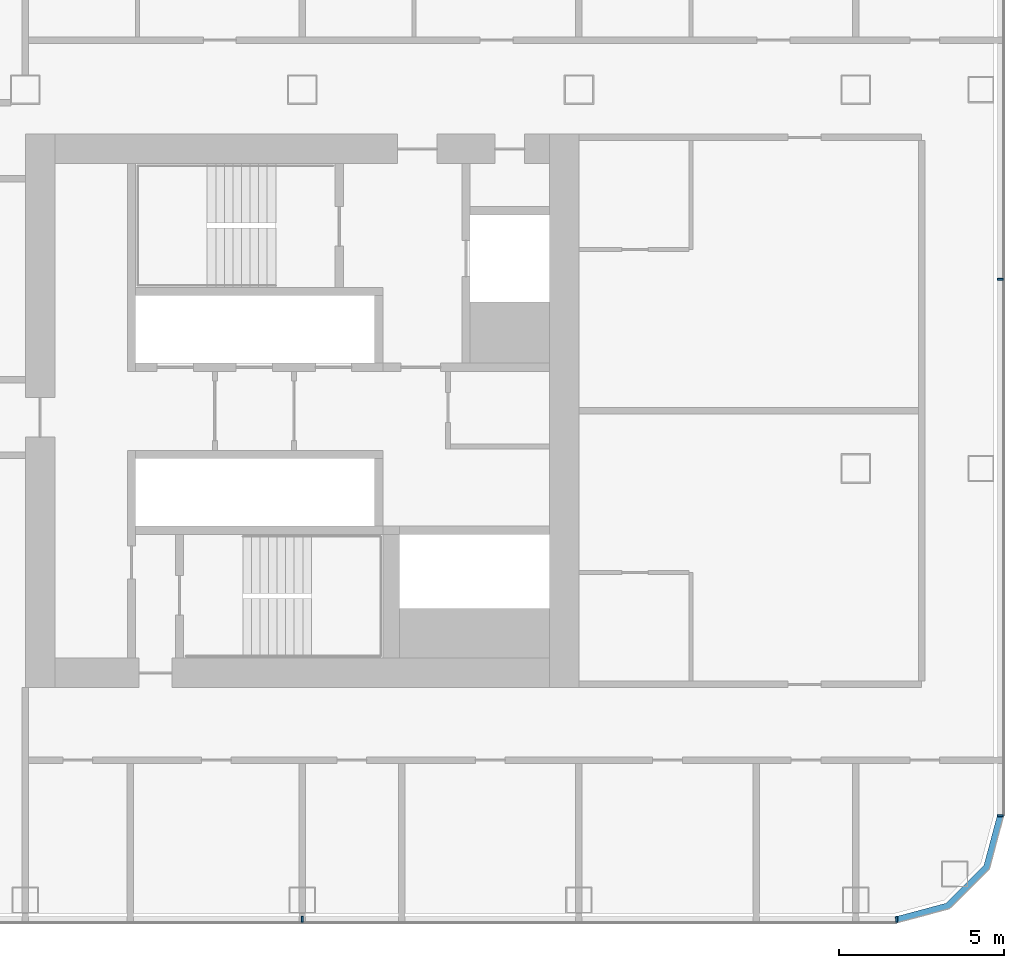
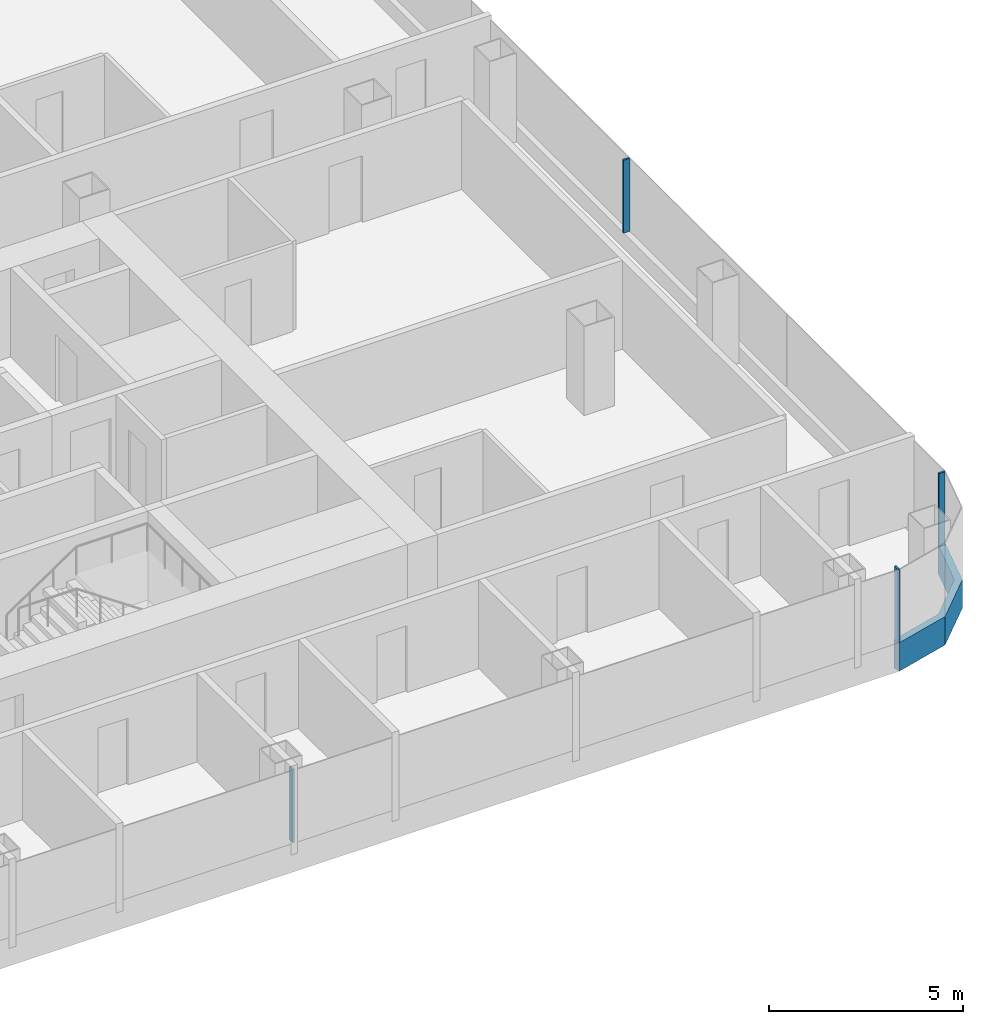
# One storey, part 11 of 29: 5 members, 3 elements without a shape of their own.
"""IFC4 building model written with IfcOpenShell, lengths in metres."""

from ifc_helpers import new_model, si_unit, direction, frame, origin, origin_2d, place, context, subcontext, project, spatial, polyline, rectangle, outline, extrude, material, layer, layer_set, material_profile, profile_set, type_object, element, aggregate, save


model = new_model("IFC4")

# Units and contexts
model_context = context("Model", 3, precision=1e-05, world=origin(), true_north=direction((0.0, 1.0)))
body_context = subcontext(model_context, "Body", "Model", "MODEL_VIEW")
ifc_project = project(units=[si_unit("LENGTHUNIT", "METRE"), si_unit("AREAUNIT", "SQUARE_METRE"), si_unit("VOLUMEUNIT", "CUBIC_METRE"), si_unit("PLANEANGLEUNIT", "RADIAN"), si_unit("MASSUNIT", "GRAM", prefix="KILO")], contexts=[model_context])

# Site, building, storey
site_placement = place(None, origin())
site = spatial("IfcSite", under=ifc_project, at=site_placement, CompositionType="ELEMENT")
building_placement = place(site_placement, origin())
building = spatial("IfcBuilding", under=site, at=building_placement, Name="Hakoniwa Tower and Hamabe Station Hall", CompositionType="ELEMENT")
storey_placement = place(building_placement, frame((0.0, 0.0, 75.39990234375)))
storey = spatial("IfcBuildingStorey", under=building, at=storey_placement, Name="L20", CompositionType="ELEMENT", Elevation=75.39990234375)

# Curtain wall, member
ifc_material_1 = material(Name="Dark low-e laminated glass", Category="glass")
ifc_layer = layer(ifc_material_1, 0.199951171875)
ifc_layer_set = layer_set([ifc_layer], Name="CW-1 UNITISED GUEST")
curtain_wall_type = type_object("IfcCurtainWallType", Name="CW-1 UNITISED GUEST", PredefinedType="NOTDEFINED", material=ifc_layer_set)
curtain_wall_1_placement = place(storey_placement, origin())
curtain_wall_1 = element("IfcCurtainWall", 1, at=curtain_wall_1_placement, inside=storey, type_object=curtain_wall_type, Name="CW-1 curtain wall", PredefinedType="NOTDEFINED")
ifc_material_2 = material(Name="Aluminium 6063-T5 black anodised", Category="aluminium")
ifc_material_profile_1 = material_profile(ifc_material_2, rectangle(XDim=0.199951171875, YDim=0.89990234375, at=origin_2d()), Name="CW SLAB-EDGE BAND 900X200")
ifc_profile_set_1 = profile_set([ifc_material_profile_1], Name="Aluminium 6063-T5 black anodised")
member_type_1 = type_object("IfcMemberType", Name="CW SLAB-EDGE BAND 900X200", PredefinedType="USERDEFINED", material=ifc_profile_set_1)
member_1_placement = place(storey_placement, frame((0.0, 0.0, -0.5498046875)))
member_1 = element("IfcMember", 2, at=member_1_placement, type_object=member_type_1, Name="CW-1 transom", ObjectType="TRANSOM", PredefinedType="USERDEFINED", context=body_context, shape_type="SweptSolid", body=[
    extrude(outline(polyline([(43.239501953125, -15.550048828125), (44.855224609375, -15.116943359375), (46.067138671875, -13.9052734375), (46.5, -12.28955078125), (46.306884765625, -12.23779296875), (45.8876953125, -13.8017578125), (44.751708984375, -14.937744140625), (43.187744140625, -15.35693359375), (43.239501953125, -15.550048828125)])), origin(), (0.0, 0.0, 1.0), 0.89990234375),
])
aggregate(curtain_wall_1, [member_1])

# Curtain wall, members
curtain_wall_2_placement = place(storey_placement, origin())
curtain_wall_2 = element("IfcCurtainWall", 3, at=curtain_wall_2_placement, inside=storey, type_object=curtain_wall_type, Name="CW-1 curtain wall", PredefinedType="NOTDEFINED")
ifc_material_3 = material(Name="Aluminium 6063-T5 black anodised", Category="aluminium")
ifc_material_profile_2 = material_profile(ifc_material_3, rectangle(XDim=0.06005859375, YDim=0.179931640625, at=origin_2d()), Name="CW-1 MULLION 60X180")
ifc_profile_set_2 = profile_set([ifc_material_profile_2], Name="Aluminium 6063-T5 black anodised")
member_type_2 = type_object("IfcMemberType", Name="CW-1 MULLION 60X180", PredefinedType="MULLION", material=ifc_profile_set_2)
member_2_placement = place(storey_placement, frame((46.382080078125, -12.28955078125, 0.35009765625), z_axis=(0.0, 0.0, 1.0), x_axis=(0.0, 1.0, 0.0)))
member_2 = element("IfcMember", 4, at=member_2_placement, type_object=member_type_2, Name="CW-1 mullion", PredefinedType="MULLION", context=body_context, shape_type="SweptSolid", body=[
    extrude(rectangle(XDim=0.06005859375, YDim=0.179931640625, at=origin_2d()), origin(), (0.0, 0.0, 1.0), 2.300048828125),
])
member_3_placement = place(storey_placement, frame((46.382080078125, 4.0, 0.35009765625), z_axis=(0.0, 0.0, 1.0), x_axis=(0.0, 1.0, 0.0)))
member_3 = element("IfcMember", 5, at=member_3_placement, type_object=member_type_2, Name="CW-1 mullion", PredefinedType="MULLION", context=body_context, shape_type="SweptSolid", body=[
    extrude(rectangle(XDim=0.06005859375, YDim=0.179931640625, at=origin_2d()), origin(), (0.0, 0.0, 1.0), 2.300048828125),
])
aggregate(curtain_wall_2, [member_2, member_3])

curtain_wall_3_placement = place(storey_placement, origin())
curtain_wall_3 = element("IfcCurtainWall", 6, at=curtain_wall_3_placement, inside=storey, type_object=curtain_wall_type, Name="CW-1 curtain wall", PredefinedType="NOTDEFINED")
member_4_placement = place(storey_placement, frame((25.199951171875, -15.431884765625, 0.35009765625), z_axis=(0.0, 0.0, 1.0), x_axis=(1.0, 0.0, 0.0)))
member_4 = element("IfcMember", 7, at=member_4_placement, type_object=member_type_2, Name="CW-1 mullion", PredefinedType="MULLION", context=body_context, shape_type="SweptSolid", body=[
    extrude(rectangle(XDim=0.06005859375, YDim=0.179931640625, at=origin_2d()), origin(), (0.0, 0.0, 1.0), 2.300048828125),
])
member_5_placement = place(storey_placement, frame((43.239501953125, -15.431884765625, 0.35009765625), z_axis=(0.0, 0.0, 1.0), x_axis=(1.0, 0.0, 0.0)))
member_5 = element("IfcMember", 8, at=member_5_placement, type_object=member_type_2, Name="CW-1 mullion", PredefinedType="MULLION", context=body_context, shape_type="SweptSolid", body=[
    extrude(rectangle(XDim=0.06005859375, YDim=0.179931640625, at=origin_2d()), origin(), (0.0, 0.0, 1.0), 2.300048828125),
])
aggregate(curtain_wall_3, [member_4, member_5])

save(model, "model.ifc")
